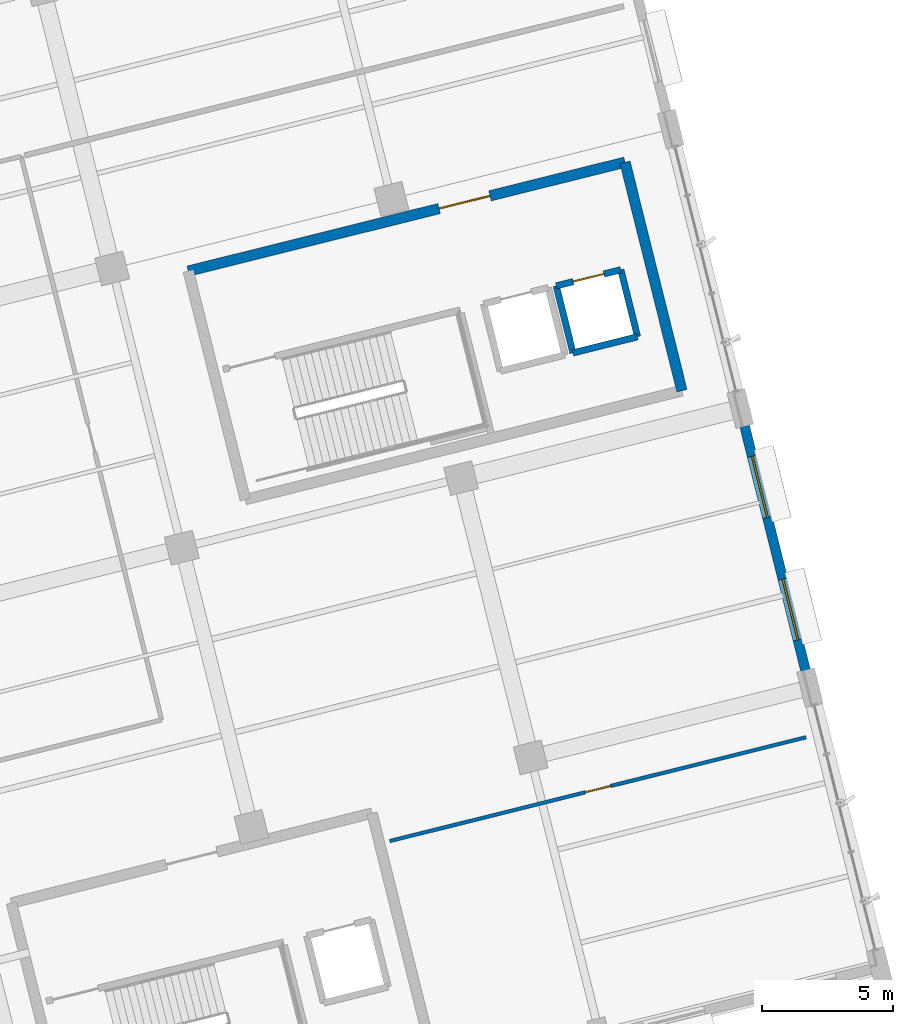
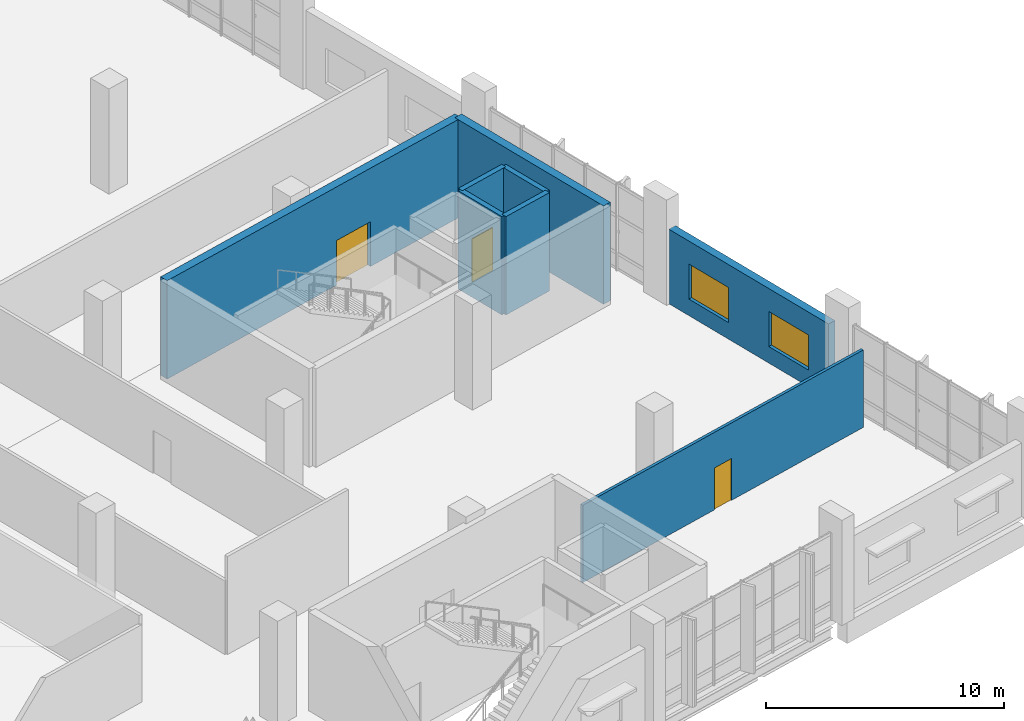
# One storey, part 145 of 176: 8 walls, 3 doors, 2 windows, 5 openings.
"""IFC4 building model written with IfcOpenShell, lengths in metres."""

from ifc_helpers import new_model, si_unit, direction, frame, frame_2d, origin, place, context, subcontext, project, spatial, rectangle, extrude, material, layer, layer_set, type_object, element, fill, save


model = new_model("IFC4")

# Units and contexts
model_context = context("Model", 3, precision=1e-05, world=origin(), true_north=direction((0.0, 1.0)))
body_context = subcontext(model_context, "Body", "Model", "MODEL_VIEW")
ifc_project = project(units=[si_unit("LENGTHUNIT", "METRE"), si_unit("AREAUNIT", "SQUARE_METRE"), si_unit("VOLUMEUNIT", "CUBIC_METRE"), si_unit("PLANEANGLEUNIT", "RADIAN"), si_unit("MASSUNIT", "GRAM", prefix="KILO")], contexts=[model_context])

# Site, building, storey
site_placement = place(None, origin())
site = spatial("IfcSite", under=ifc_project, at=site_placement, CompositionType="ELEMENT")
building_placement = place(site_placement, origin())
building = spatial("IfcBuilding", under=site, at=building_placement, Name="Khorjan Park Terminus", CompositionType="ELEMENT")
storey_placement = place(building_placement, frame((0.0, 0.0, 6.0)))
storey = spatial("IfcBuildingStorey", under=building, at=storey_placement, Name="L01", CompositionType="ELEMENT", Elevation=6.0)

# Wall
ifc_material_1 = material(Name="Concrete C50/60", Category="concrete")
ifc_layer_1 = layer(ifc_material_1, 0.4)
ifc_layer_set_1 = layer_set([ifc_layer_1], Name="Concrete C50/60")
wall_type_1 = type_object("IfcWallType", Name="CW-40", PredefinedType="SHEAR", material=ifc_layer_set_1)
wall_1_placement = place(storey_placement, frame((222.4864, 39.9939, 0.0), z_axis=(0.0, 0.0, 1.0), x_axis=(-0.241923808098, 0.970295249435, 0.0)))
element("IfcWall", 1, at=wall_1_placement, inside=storey, type_object=wall_type_1, Name="Operations North-East Firefighting Core concrete shear wall CW-40 (L01-E2)", PredefinedType="SHEAR", context=body_context, shape_type="SweptSolid", body=[
    extrude(rectangle(XDim=8.9999, YDim=0.4, at=frame_2d((4.5, 0.0))), origin(), (0.0, 0.0, 1.0), 5.05),
])

# Wall, opening, door
wall_2_placement = place(storey_placement, frame((220.3091, 48.7265, 0.0), z_axis=(0.0, 0.0, 1.0), x_axis=(-0.970296544738, -0.241918612906, 0.0)))
wall_2 = element("IfcWall", 2, at=wall_2_placement, inside=storey, type_object=wall_type_1, Name="Operations North-East Firefighting Core concrete shear wall CW-40 (L01-E3)", PredefinedType="SHEAR", context=body_context, shape_type="SweptSolid", body=[
    extrude(rectangle(XDim=17.2, YDim=0.4, at=frame_2d((8.6, 0.0))), origin(), (0.0, 0.0, 1.0), 5.05),
])
opening_1_placement = place(wall_2_placement, frame((5.32, 0.0, 0.0)))
opening_1 = element("IfcOpeningElement", 3, at=opening_1_placement, cuts=wall_2, Name="Opening FD-20", PredefinedType="OPENING", context=body_context, shape_type="SweptSolid", body=[
    extrude(rectangle(XDim=2.0, YDim=2.3, at=frame_2d((1.0, 1.15))), frame((0.0, 0.21, 0.0), z_axis=(0.0, -1.0, 0.0), x_axis=(1.0, 0.0, 0.0)), (0.0, 0.0, 1.0), 0.42),
])
ifc_material_2 = material(Name="Fire-Rated Steel Double Door", Category="steel")
door_type_1 = type_object("IfcDoorType", Name="FD-20", OperationType="NOTDEFINED", PredefinedType="DOOR", material=ifc_material_2)
door_1_placement = place(opening_1_placement, origin())
door_1 = element("IfcDoor", 4, at=door_1_placement, inside=storey, type_object=door_type_1, Name="Operations North-East Firefighting Core fire-rated exit door FD-20 (L01)", OperationType="DOUBLE_DOOR_SINGLE_SWING", OverallHeight=2.3, OverallWidth=2.0, PredefinedType="DOOR", context=body_context, shape_type="SweptSolid", body=[
    extrude(rectangle(XDim=2.0, YDim=2.3, at=frame_2d((1.0, 1.15))), frame((0.0, 0.025, 0.0), z_axis=(0.0, -1.0, 0.0), x_axis=(1.0, 0.0, 0.0)), (0.0, 0.0, 1.0), 0.05),
])
fill(opening_1, door_1)

# Wall, openings, windows
ifc_material_3 = material(Name="Pigmented Precast GRC & Concrete C40/50", Category="concrete")
ifc_layer_2 = layer(ifc_material_3, 0.38)
ifc_layer_set_2 = layer_set([ifc_layer_2], Name="Pigmented Precast GRC & Concrete C40/50")
wall_type_2 = type_object("IfcWallType", Name="EW-38", PredefinedType="STANDARD", material=ifc_layer_set_2)
wall_3_placement = place(storey_placement, frame((227.2175, 29.2853, 0.0), z_axis=(0.0, 0.0, 1.0), x_axis=(-0.241919949636, 0.970296211457, 0.0)))
wall_3 = element("IfcWall", 5, at=wall_3_placement, inside=storey, type_object=wall_type_2, Name="External pigmented-GRC insulated wall EW-38 (EW-V5-E-L01-B02)", PredefinedType="STANDARD", context=body_context, shape_type="SweptSolid", body=[
    extrude(rectangle(XDim=9.6697, YDim=0.38, at=frame_2d((4.8349, 0.0))), origin(), (0.0, 0.0, 1.0), 3.825),
])
opening_2_placement = place(wall_3_placement, frame((1.2174, 0.0, 0.85)))
opening_2 = element("IfcOpeningElement", 6, at=opening_2_placement, cuts=wall_3, Name="Opening WN-24", PredefinedType="OPENING", context=body_context, shape_type="SweptSolid", body=[
    extrude(rectangle(XDim=2.4, YDim=1.8, at=frame_2d((1.2, 0.9))), frame((0.0, 0.2, 0.0), z_axis=(0.0, -1.0, 0.0), x_axis=(1.0, 0.0, 0.0)), (0.0, 0.0, 1.0), 0.4),
])
opening_3_placement = place(wall_3_placement, frame((6.0523, 0.0, 0.85)))
opening_3 = element("IfcOpeningElement", 7, at=opening_3_placement, cuts=wall_3, Name="Opening WN-24", PredefinedType="OPENING", context=body_context, shape_type="SweptSolid", body=[
    extrude(rectangle(XDim=2.4, YDim=1.8, at=frame_2d((1.2, 0.9))), frame((0.0, 0.2, 0.0), z_axis=(0.0, -1.0, 0.0), x_axis=(1.0, 0.0, 0.0)), (0.0, 0.0, 1.0), 0.4),
])
ifc_material_4 = material(Name="Anodized Bronze Aluminium & Low-E Glass", Category="aluminium")
window_type = type_object("IfcWindowType", Name="WN-24", PartitioningType="SINGLE_PANEL", PredefinedType="WINDOW", material=ifc_material_4)
window_1_placement = place(opening_2_placement, origin())
window_1 = element("IfcWindow", 8, at=window_1_placement, inside=storey, type_object=window_type, Name="Solar-control exterior window WN-24 (WN-EW-V5-E-L01-B02-1)", OverallHeight=1.8, OverallWidth=2.4, PartitioningType="SINGLE_PANEL", PredefinedType="WINDOW", context=body_context, shape_type="SweptSolid", body=[
    extrude(rectangle(XDim=2.4, YDim=1.8, at=frame_2d((1.2, 0.9))), frame((0.0, 0.03, 0.0), z_axis=(0.0, -1.0, 0.0), x_axis=(1.0, 0.0, 0.0)), (0.0, 0.0, 1.0), 0.06),
])
fill(opening_2, window_1)
window_2_placement = place(opening_3_placement, origin())
window_2 = element("IfcWindow", 9, at=window_2_placement, inside=storey, type_object=window_type, Name="Solar-control exterior window WN-24 (WN-EW-V5-E-L01-B02-2)", OverallHeight=1.8, OverallWidth=2.4, PartitioningType="SINGLE_PANEL", PredefinedType="WINDOW", context=body_context, shape_type="SweptSolid", body=[
    extrude(rectangle(XDim=2.4, YDim=1.8, at=frame_2d((1.2, 0.9))), frame((0.0, 0.03, 0.0), z_axis=(0.0, -1.0, 0.0), x_axis=(1.0, 0.0, 0.0)), (0.0, 0.0, 1.0), 0.06),
])
fill(opening_3, window_2)

# Wall, opening, door
ifc_material_5 = material(Name="Moisture-Resistant Sanitary Partition")
ifc_layer_3 = layer(ifc_material_5, 0.14)
ifc_layer_set_3 = layer_set([ifc_layer_3], Name="Moisture-Resistant Sanitary Partition")
wall_type_3 = type_object("IfcWallType", Name="PT-14", PredefinedType="PARTITIONING", material=ifc_layer_set_3)
wall_4_placement = place(storey_placement, frame((211.3188, 22.7809, 0.0), z_axis=(0.0, 0.0, 1.0), x_axis=(0.970296178232, 0.241920082897, 0.0)))
wall_4 = element("IfcWall", 10, at=wall_4_placement, inside=storey, type_object=wall_type_3, Name="Interior acoustic partition PT-14 (L01-LCK)", PredefinedType="PARTITIONING", context=body_context, shape_type="SweptSolid", body=[
    extrude(rectangle(XDim=16.4, YDim=0.14, at=frame_2d((8.2, 0.0))), origin(), (0.0, 0.0, 1.0), 3.975),
])
opening_4_placement = place(wall_4_placement, frame((7.7, 0.0, 0.0)))
opening_4 = element("IfcOpeningElement", 11, at=opening_4_placement, cuts=wall_4, Name="Opening ID-10", PredefinedType="OPENING", context=body_context, shape_type="SweptSolid", body=[
    extrude(rectangle(XDim=1.0, YDim=2.15, at=frame_2d((0.5, 1.075))), frame((0.0, 0.08, 0.0), z_axis=(0.0, -1.0, 0.0), x_axis=(1.0, 0.0, 0.0)), (0.0, 0.0, 1.0), 0.16),
])
ifc_material_6 = material(Name="Acoustic Fire-Rated Single Door")
door_type_2 = type_object("IfcDoorType", Name="ID-10", OperationType="NOTDEFINED", PredefinedType="DOOR", material=ifc_material_6)
door_2_placement = place(opening_4_placement, origin())
door_2 = element("IfcDoor", 12, at=door_2_placement, inside=storey, type_object=door_type_2, Name="Interior door ID-10 (L01-LCK)", OperationType="SINGLE_SWING_RIGHT", OverallHeight=2.15, OverallWidth=1.0, PredefinedType="DOOR", context=body_context, shape_type="SweptSolid", body=[
    extrude(rectangle(XDim=1.0, YDim=2.15, at=frame_2d((0.5, 1.075))), frame((0.0, 0.025, 0.0), z_axis=(0.0, -1.0, 0.0), x_axis=(1.0, 0.0, 0.0)), (0.0, 0.0, 1.0), 0.05),
])
fill(opening_4, door_2)

# Walls
ifc_material_7 = material(Name="Concrete C40/50", Category="concrete")
ifc_layer_4 = layer(ifc_material_7, 0.25)
ifc_layer_set_4 = layer_set([ifc_layer_4], Name="Concrete C40/50")
wall_type_4 = type_object("IfcWallType", Name="SW-25", PredefinedType="SOLIDWALL", material=ifc_layer_set_4)
wall_5_placement = place(storey_placement, frame((218.323, 41.4396, 0.0), z_axis=(0.0, 0.0, 1.0), x_axis=(0.97029284861, 0.241933436994, 0.0)))
element("IfcWall", 13, at=wall_5_placement, inside=storey, type_object=wall_type_4, Name="Lift L08 concrete shaft wall SW-25 (L01-1)", PredefinedType="SOLIDWALL", context=body_context, shape_type="SweptSolid", body=[
    extrude(rectangle(XDim=2.54, YDim=0.25, at=frame_2d((1.27, 0.0))), origin(), (0.0, 0.0, 1.0), 5.05),
])
wall_6_placement = place(storey_placement, frame((220.7875, 42.0541, 0.0), z_axis=(0.0, 0.0, 1.0), x_axis=(-0.241938414856, 0.970291607413, 0.0)))
element("IfcWall", 14, at=wall_6_placement, inside=storey, type_object=wall_type_4, Name="Lift L08 concrete shaft wall SW-25 (L01-2)", PredefinedType="SOLIDWALL", context=body_context, shape_type="SweptSolid", body=[
    extrude(rectangle(XDim=2.6399, YDim=0.25, at=frame_2d((1.3199, 0.0))), origin(), (0.0, 0.0, 1.0), 5.05),
])

# Wall, opening, door
wall_7_placement = place(storey_placement, frame((220.1488, 44.6156, 0.0), z_axis=(0.0, 0.0, 1.0), x_axis=(-0.97029284861, -0.241933436994, 0.0)))
wall_7 = element("IfcWall", 15, at=wall_7_placement, inside=storey, type_object=wall_type_4, Name="Lift L08 concrete shaft wall SW-25 (L01-3)", PredefinedType="SOLIDWALL", context=body_context, shape_type="SweptSolid", body=[
    extrude(rectangle(XDim=2.54, YDim=0.25, at=frame_2d((1.27, 0.0))), origin(), (0.0, 0.0, 1.0), 5.05),
])
opening_5_placement = place(wall_7_placement, frame((0.67, 0.0, 0.0)))
opening_5 = element("IfcOpeningElement", 16, at=opening_5_placement, cuts=wall_7, Name="Opening LD-12", PredefinedType="OPENING", context=body_context, shape_type="SweptSolid", body=[
    extrude(rectangle(XDim=1.2, YDim=2.2, at=frame_2d((0.6, 1.1))), frame((0.0, 0.135, 0.0), z_axis=(0.0, -1.0, 0.0), x_axis=(1.0, 0.0, 0.0)), (0.0, 0.0, 1.0), 0.27),
])
ifc_material_8 = material(Name="Stainless-Steel Lift Landing Sliding Door", Category="steel")
door_type_3 = type_object("IfcDoorType", Name="LD-12", OperationType="NOTDEFINED", PredefinedType="DOOR", material=ifc_material_8)
door_3_placement = place(opening_5_placement, origin())
door_3 = element("IfcDoor", 17, at=door_3_placement, inside=storey, type_object=door_type_3, Name="Lift L08 sliding landing door LD-12 (L01)", OperationType="SLIDING_TO_RIGHT", OverallHeight=2.2, OverallWidth=1.2, PredefinedType="DOOR", context=body_context, shape_type="SweptSolid", body=[
    extrude(rectangle(XDim=1.2, YDim=2.2, at=frame_2d((0.6, 1.1))), frame((0.0, 0.025, 0.0), z_axis=(0.0, -1.0, 0.0), x_axis=(1.0, 0.0, 0.0)), (0.0, 0.0, 1.0), 0.05),
])
fill(opening_5, door_3)

# Wall
wall_8_placement = place(storey_placement, frame((217.6843, 44.0011, 0.0), z_axis=(0.0, 0.0, 1.0), x_axis=(0.241938414856, -0.970291607413, 0.0)))
element("IfcWall", 18, at=wall_8_placement, inside=storey, type_object=wall_type_4, Name="Lift L08 concrete shaft wall SW-25 (L01-4)", PredefinedType="SOLIDWALL", context=body_context, shape_type="SweptSolid", body=[
    extrude(rectangle(XDim=2.6399, YDim=0.25, at=frame_2d((1.3199, 0.0))), origin(), (0.0, 0.0, 1.0), 5.05),
])

save(model, "model.ifc")
